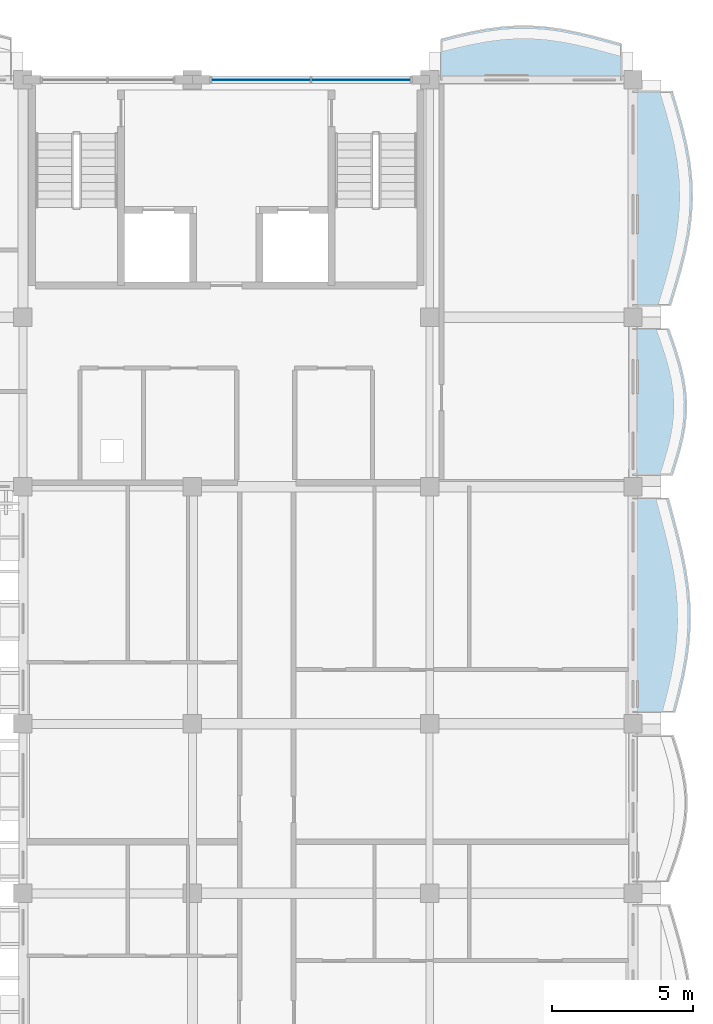
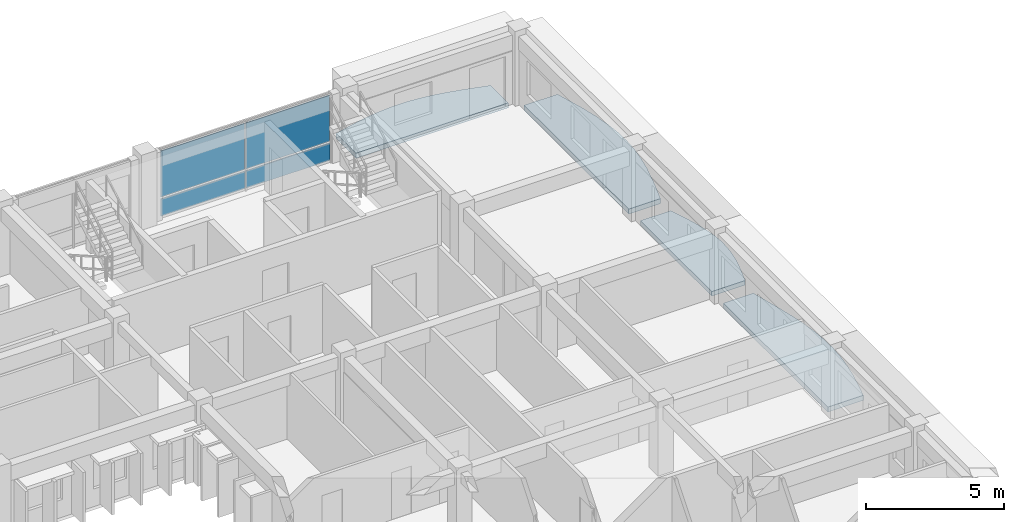
# One storey, part 12 of 66: 4 plates, 4 slabs, 1 element without a shape of its own.
"""IFC4 building model written with IfcOpenShell, lengths in metres."""

from ifc_helpers import new_model, si_unit, direction, frame, origin, origin_2d, place, context, subcontext, project, spatial, polyline, rectangle, outline, extrude, material, layer, layer_set, type_object, element, aggregate, save


model = new_model("IFC4")

# Units and contexts
model_context = context("Model", 3, precision=1e-05, world=origin(), true_north=direction((0.0, 1.0)))
body_context = subcontext(model_context, "Body", "Model", "MODEL_VIEW")
ifc_project = project(units=[si_unit("LENGTHUNIT", "METRE"), si_unit("AREAUNIT", "SQUARE_METRE"), si_unit("VOLUMEUNIT", "CUBIC_METRE"), si_unit("PLANEANGLEUNIT", "RADIAN"), si_unit("MASSUNIT", "GRAM", prefix="KILO"), si_unit("THERMODYNAMICTEMPERATUREUNIT", "KELVIN")], contexts=[model_context])

# Site, building, storey
site_placement = place(None, origin())
site = spatial("IfcSite", under=ifc_project, at=site_placement, CompositionType="ELEMENT")
building_placement = place(site_placement, origin())
building = spatial("IfcBuilding", under=site, at=building_placement, Name="Thalorik Housing Commons", CompositionType="ELEMENT")
storey_placement = place(building_placement, frame((0.0, 0.0, 21.300048828125)))
storey = spatial("IfcBuildingStorey", under=building, at=storey_placement, Name="L06", CompositionType="ELEMENT", Elevation=21.300048828125)

# Curtain wall, plates
ifc_material_1 = material(Name="Anodised aluminium and solar-control low-E glass", Category="aluminium")
curtain_wall_type = type_object("IfcCurtainWallType", Name="ARC-CW-CORE", PredefinedType="USERDEFINED", material=ifc_material_1)
curtain_wall_placement = place(storey_placement, origin())
curtain_wall = element("IfcCurtainWall", 1, at=curtain_wall_placement, inside=storey, type_object=curtain_wall_type, Name="L06 Curtain Wall CW-CORE-L06-B-099", ObjectType="CURTAIN WALL", PredefinedType="USERDEFINED")
ifc_material_2 = material(Name="Double solar-control low-E glass", Category="glass")
ifc_layer_1 = layer(ifc_material_2, 0.028076171875, Name="Double solar-control low-E glass", Category="glass")
ifc_layer_set_1 = layer_set([ifc_layer_1], Name="Double solar-control low-E glass")
plate_type_1 = type_object("IfcPlateType", Name="ARC-CP-GLZ-28", PredefinedType="CURTAIN_PANEL", material=ifc_layer_set_1)
plate_1_placement = place(storey_placement, frame((164.375, 123.60009765625, 0.919921875), z_axis=(0.0, 0.0, 1.0), x_axis=(-1.0, 0.0, 0.0)))
plate_1 = element("IfcPlate", 2, at=plate_1_placement, type_object=plate_type_1, Name="CW-CORE-L06-B-099 Vision Panel 1", PredefinedType="CURTAIN_PANEL", context=body_context, shape_type="SweptSolid", body=[
    extrude(rectangle(XDim=3.489990234375, YDim=0.028076171875, at=origin_2d()), origin(), (0.0, 0.0, 1.0), 2.0400390625),
])
plate_2_placement = place(storey_placement, frame((160.824951171875, 123.60009765625, 0.919921875), z_axis=(0.0, 0.0, 1.0), x_axis=(-1.0, 0.0, 0.0)))
plate_2 = element("IfcPlate", 3, at=plate_2_placement, type_object=plate_type_1, Name="CW-CORE-L06-B-099 Vision Panel 2", PredefinedType="CURTAIN_PANEL", context=body_context, shape_type="SweptSolid", body=[
    extrude(rectangle(XDim=3.489990234375, YDim=0.028076171875, at=origin_2d()), origin(), (0.0, 0.0, 1.0), 2.0400390625),
])
ifc_material_3 = material(Name="Oxide red enamelled aluminium spandrel panel", Category="aluminium")
ifc_layer_2 = layer(ifc_material_3, 0.0419921875, Name="Oxide red enamelled aluminium spandrel panel", Category="aluminium")
ifc_layer_set_2 = layer_set([ifc_layer_2], Name="Oxide red enamelled aluminium spandrel panel")
plate_type_2 = type_object("IfcPlateType", Name="ARC-CP-RED-42", PredefinedType="CURTAIN_PANEL", material=ifc_layer_set_2)
plate_3_placement = place(storey_placement, frame((164.375, 123.60009765625, 0.080078125), z_axis=(0.0, 0.0, 1.0), x_axis=(-1.0, 0.0, 0.0)))
plate_3 = element("IfcPlate", 4, at=plate_3_placement, type_object=plate_type_2, Name="CW-CORE-L06-B-099 Spandrel Panel 1", PredefinedType="CURTAIN_PANEL", context=body_context, shape_type="SweptSolid", body=[
    extrude(rectangle(XDim=3.489990234375, YDim=0.0419921875, at=origin_2d()), origin(), (0.0, 0.0, 1.0), 0.760009765625),
])
plate_4_placement = place(storey_placement, frame((160.824951171875, 123.60009765625, 0.080078125), z_axis=(0.0, 0.0, 1.0), x_axis=(-1.0, 0.0, 0.0)))
plate_4 = element("IfcPlate", 5, at=plate_4_placement, type_object=plate_type_2, Name="CW-CORE-L06-B-099 Spandrel Panel 2", PredefinedType="CURTAIN_PANEL", context=body_context, shape_type="SweptSolid", body=[
    extrude(rectangle(XDim=3.489990234375, YDim=0.0419921875, at=origin_2d()), origin(), (0.0, 0.0, 1.0), 0.760009765625),
])
aggregate(curtain_wall, [plate_3, plate_1, plate_4, plate_2])

# Slabs
ifc_material_4 = material(Name="Precast concrete C40/50", Category="concrete")
ifc_layer_3 = layer(ifc_material_4, 0.199951171875, Name="Precast concrete C40/50", Category="concrete")
ifc_layer_set_3 = layer_set([ifc_layer_3], Name="Precast concrete C40/50")
slab_type_1 = type_object("IfcSlabType", Name="STR-SLB-BALC-200", PredefinedType="FLOOR", material=ifc_layer_set_3)
slab_1_placement = place(storey_placement, frame((0.0, 0.0, -0.199951171875)))
element("IfcSlab", 6, at=slab_1_placement, inside=storey, type_object=slab_type_1, Name="L06 Block B Cushion Balcony 180", PredefinedType="FLOOR", context=body_context, shape_type="SweptSolid", body=[
    extrude(outline(polyline([(175.393798828125, 109.6201171875), (175.530029296875, 110.050048828125), (175.655517578125, 110.47998046875), (175.760498046875, 110.909912109375), (175.837646484375, 111.340087890625), (175.880859375, 111.77001953125), (175.88671875, 112.199951171875), (175.85400390625, 112.6298828125), (175.78466796875, 113.06005859375), (175.68310546875, 113.489990234375), (175.556396484375, 113.919921875), (175.4130859375, 114.35009765625), (175.262939453125, 114.780029296875), (174.0, 114.780029296875), (174.0, 109.6201171875), (175.393798828125, 109.6201171875)])), origin(), (0.0, 0.0, 1.0), 0.199951171875),
])
ifc_layer_4 = layer(ifc_material_4, 0.219970703125, Name="Precast concrete C40/50", Category="concrete")
ifc_layer_set_4 = layer_set([ifc_layer_4], Name="Precast concrete C40/50")
slab_type_2 = type_object("IfcSlabType", Name="STR-SLB-BALC-220", PredefinedType="FLOOR", material=ifc_layer_set_4)
slab_2_placement = place(storey_placement, frame((0.0, 0.0, -0.219970703125)))
element("IfcSlab", 7, at=slab_2_placement, inside=storey, type_object=slab_type_2, Name="L06 Block B Cushion Balcony 179", PredefinedType="FLOOR", context=body_context, shape_type="SweptSolid", body=[
    extrude(outline(polyline([(167.219970703125, 123.60009765625), (173.580078125, 123.60009765625), (173.580078125, 124.870849609375), (173.050048828125, 125.0166015625), (172.52001953125, 125.1572265625), (171.989990234375, 125.283203125), (171.4599609375, 125.38623046875), (170.929931640625, 125.458984375), (170.39990234375, 125.496826171875), (169.8701171875, 125.49755859375), (169.340087890625, 125.461181640625), (168.81005859375, 125.390869140625), (168.280029296875, 125.29150390625), (167.75, 125.17041015625), (167.219970703125, 125.036376953125), (167.219970703125, 123.60009765625)])), origin(), (0.0, 0.0, 1.0), 0.219970703125),
])
slab_3_placement = place(storey_placement, frame((0.0, 0.0, -0.219970703125)))
element("IfcSlab", 8, at=slab_3_placement, inside=storey, type_object=slab_type_2, Name="L06 Block B Cushion Balcony 181", PredefinedType="FLOOR", context=body_context, shape_type="SweptSolid", body=[
    extrude(outline(polyline([(175.329345703125, 115.6201171875), (175.51953125, 116.25), (175.69970703125, 116.8798828125), (175.857177734375, 117.510009765625), (175.98095703125, 118.139892578125), (176.0625, 118.77001953125), (176.095947265625, 119.39990234375), (176.0791015625, 120.030029296875), (176.01318359375, 120.659912109375), (175.90234375, 121.2900390625), (175.754638671875, 121.919921875), (175.580078125, 122.550048828125), (175.390625, 123.179931640625), (174.0, 123.179931640625), (174.0, 115.6201171875), (175.329345703125, 115.6201171875)])), origin(), (0.0, 0.0, 1.0), 0.219970703125),
])
slab_4_placement = place(storey_placement, frame((0.0, 0.0, -0.219970703125)))
element("IfcSlab", 9, at=slab_4_placement, inside=storey, type_object=slab_type_2, Name="L06 Block B Cushion Balcony 185", PredefinedType="FLOOR", context=body_context, shape_type="SweptSolid", body=[
    extrude(outline(polyline([(175.481201171875, 101.219970703125), (175.64599609375, 101.85009765625), (175.79150390625, 102.47998046875), (175.906982421875, 103.110107421875), (175.9853515625, 103.739990234375), (176.02099609375, 104.3701171875), (176.01171875, 105.0), (175.95849609375, 105.6298828125), (175.865234375, 106.260009765625), (175.73828125, 106.889892578125), (175.586669921875, 107.52001953125), (175.420654296875, 108.14990234375), (175.251953125, 108.780029296875), (174.0, 108.780029296875), (174.0, 101.219970703125), (175.481201171875, 101.219970703125)])), origin(), (0.0, 0.0, 1.0), 0.219970703125),
])

save(model, "model.ifc")
